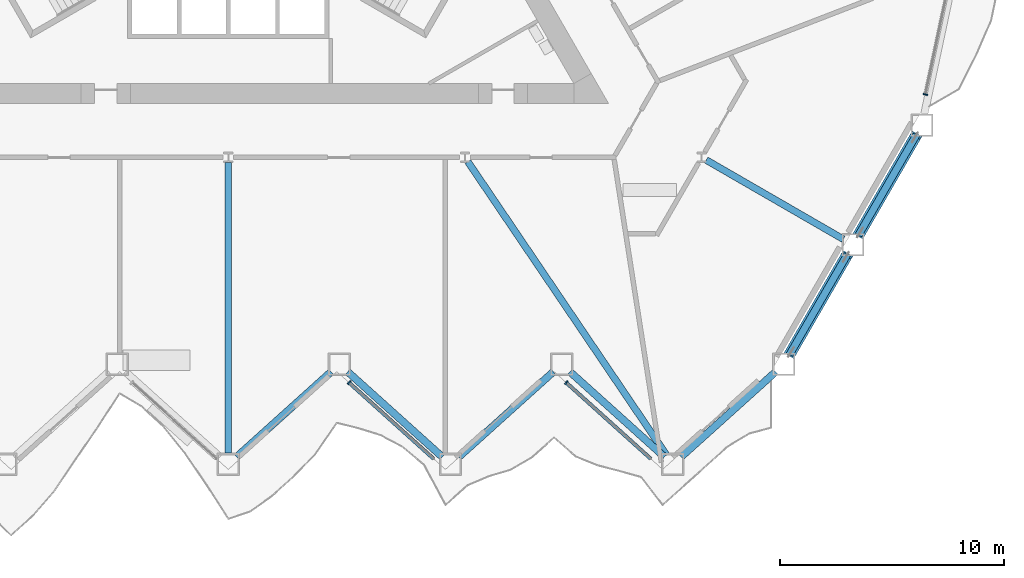
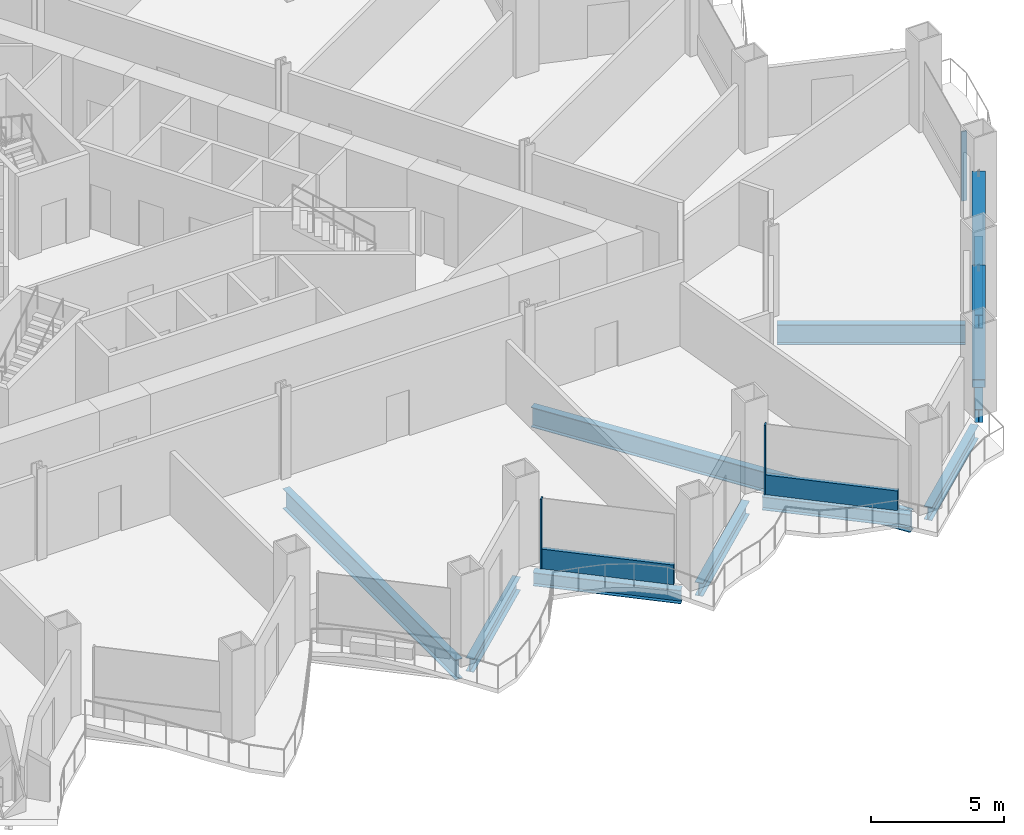
# One storey, part 4 of 21: 10 beams, 7 members, 3 elements without a shape of their own.
"""IFC4 building model written with IfcOpenShell, lengths in metres."""

from ifc_helpers import new_model, si_unit, direction, frame, origin, origin_2d, place, context, subcontext, project, spatial, rectangle, hollow_rectangle, i_section, extrude, material, layer, layer_set, material_profile, profile_set, type_object, element, aggregate, save


model = new_model("IFC4")

# Units and contexts
model_context = context("Model", 3, precision=1e-05, world=origin(), true_north=direction((0.0, 1.0)))
body_context = subcontext(model_context, "Body", "Model", "MODEL_VIEW")
ifc_project = project(units=[si_unit("LENGTHUNIT", "METRE"), si_unit("AREAUNIT", "SQUARE_METRE"), si_unit("VOLUMEUNIT", "CUBIC_METRE"), si_unit("PLANEANGLEUNIT", "RADIAN"), si_unit("MASSUNIT", "GRAM", prefix="KILO")], contexts=[model_context])

# Site, building, storey
site_placement = place(None, origin())
site = spatial("IfcSite", under=ifc_project, at=site_placement, CompositionType="ELEMENT")
building_placement = place(site_placement, origin())
building = spatial("IfcBuilding", under=site, at=building_placement, Name="Cormorant Prow Tower", CompositionType="ELEMENT")
storey_placement = place(building_placement, frame((0.0, 0.0, 46.800048828125)))
storey = spatial("IfcBuildingStorey", under=building, at=storey_placement, Name="L09", CompositionType="ELEMENT", Elevation=46.800048828125)

# Members
ifc_material_1 = material(Name="Structural steel ASTM A500 Gr C", Category="steel")
ifc_material_profile_1 = material_profile(ifc_material_1, hollow_rectangle(XDim=0.508056640625, YDim=0.508056640625, WallThickness=0.014892578125, at=origin_2d()), Name="HSS20x20x5/8")
ifc_profile_set_1 = profile_set([ifc_material_profile_1], Name="Structural steel ASTM A500 Gr C")
member_type_1 = type_object("IfcMemberType", Name="Chamfer brace HSS20x20x5/8", PredefinedType="BRACE", material=ifc_profile_set_1)
member_1_placement = place(storey_placement, frame((25.089599609375, -21.0107421875, 0.76708984375), z_axis=(0.47589308504, 0.824244468952, 0.306833549359), x_axis=(-0.866018434186, 0.500012071504, 0.0)))
element("IfcMember", 1, at=member_1_placement, inside=storey, type_object=member_type_1, Name="Chamfer brace BR1 at ESE00 L09", PredefinedType="BRACE", context=body_context, shape_type="SweptSolid", body=[
    extrude(hollow_rectangle(XDim=0.508056640625, YDim=0.508056640625, WallThickness=0.014892578125, at=origin_2d()), origin(), (0.0, 0.0, 1.0), 5.392333984375),
])
member_2_placement = place(storey_placement, frame((28.174560546875, -15.667724609375, 0.76708984375), z_axis=(0.475875326044, 0.824258984489, 0.306822099191), x_axis=(-0.866030326616, 0.499991473309, 0.0)))
element("IfcMember", 2, at=member_2_placement, inside=storey, type_object=member_type_1, Name="Chamfer brace BR1 at ESE01 L09", PredefinedType="BRACE", context=body_context, shape_type="SweptSolid", body=[
    extrude(hollow_rectangle(XDim=0.508056640625, YDim=0.508056640625, WallThickness=0.014892578125, at=origin_2d()), origin(), (0.0, 0.0, 1.0), 5.392578125),
])

# Curtain wall, member
ifc_material_2 = material(Name="Aluminium 6063-T6", Category="aluminium")
ifc_layer = layer(ifc_material_2, 0.199951171875)
ifc_layer_set = layer_set([ifc_layer], Name="Aluminium 6063-T6")
curtain_wall_type = type_object("IfcCurtainWallType", Name="Office unitised curtain wall 200", PredefinedType="NOTDEFINED", material=ifc_layer_set)
curtain_wall_1_placement = place(storey_placement, origin())
curtain_wall_1 = element("IfcCurtainWall", 3, at=curtain_wall_1_placement, inside=storey, type_object=curtain_wall_type, Name="Office curtain wall S06", PredefinedType="NOTDEFINED")
ifc_material_3 = material(Name="Aluminium 6063-T6", Category="aluminium")
ifc_material_profile_2 = material_profile(ifc_material_3, rectangle(XDim=0.199951171875, YDim=0.06005859375, at=origin_2d()), Name="Office mullion 60x200")
ifc_profile_set_2 = profile_set([ifc_material_profile_2], Name="Aluminium 6063-T6")
member_type_2 = type_object("IfcMemberType", Name="Office mullion 60x200", PredefinedType="MULLION", material=ifc_profile_set_2)
member_3_placement = place(storey_placement, frame((5.3974609375, -22.27783203125, 0.0), z_axis=(0.0, 0.0, 1.0), x_axis=(0.669130649459, 0.74314478667, 0.0)))
member_3 = element("IfcMember", 4, at=member_3_placement, type_object=member_type_2, Name="Office mullion S06", PredefinedType="MULLION", context=body_context, shape_type="SweptSolid", body=[
    extrude(rectangle(XDim=0.199951171875, YDim=0.06005859375, at=origin_2d()), origin(), (0.0, 0.0, 1.0), 3.18896484375),
])

curtain_wall_2_placement = place(storey_placement, origin())
curtain_wall_2 = element("IfcCurtainWall", 5, at=curtain_wall_2_placement, inside=storey, type_object=curtain_wall_type, Name="Office curtain wall S08", PredefinedType="NOTDEFINED")
member_4_placement = place(storey_placement, frame((15.102783203125, -22.27783203125, 0.0), z_axis=(0.0, 0.0, 1.0), x_axis=(0.66913057331, 0.743144855234, 0.0)))
member_4 = element("IfcMember", 6, at=member_4_placement, type_object=member_type_2, Name="Office mullion S08", PredefinedType="MULLION", context=body_context, shape_type="SweptSolid", body=[
    extrude(rectangle(XDim=0.199951171875, YDim=0.06005859375, at=origin_2d()), origin(), (0.0, 0.0, 1.0), 3.18896484375),
])

curtain_wall_3_placement = place(storey_placement, origin())
curtain_wall_3 = element("IfcCurtainWall", 7, at=curtain_wall_3_placement, inside=storey, type_object=curtain_wall_type, Name="Office curtain wall ENE00", PredefinedType="NOTDEFINED")
member_5_placement = place(storey_placement, frame((31.15234375, -9.402099609375, 0.0), z_axis=(0.0, 0.0, 1.0), x_axis=(-0.978147599834, 0.207911695052, 0.0)))
member_5 = element("IfcMember", 8, at=member_5_placement, type_object=member_type_2, Name="Office mullion ENE00", PredefinedType="MULLION", context=body_context, shape_type="SweptSolid", body=[
    extrude(rectangle(XDim=0.199951171875, YDim=0.06005859375, at=origin_2d()), origin(), (0.0, 0.0, 1.0), 3.18896484375),
])
aggregate(curtain_wall_3, [member_5])

# Member
ifc_material_4 = material(Name="Terracotta", Category="masonry")
ifc_material_profile_3 = material_profile(ifc_material_4, rectangle(XDim=0.159912109375, YDim=0.89990234375, at=origin_2d()), Name="Office terracotta spandrel rail 160x900")
ifc_profile_set_3 = profile_set([ifc_material_profile_3], Name="Terracotta")
member_type_3 = type_object("IfcMemberType", Name="Office terracotta spandrel rail 160x900", PredefinedType="USERDEFINED", material=ifc_profile_set_3)
member_6_placement = place(storey_placement, frame((5.419677734375, -22.2978515625, 0.449951171875), z_axis=(0.743140700473, -0.669135187612, 0.0), x_axis=(0.669135187612, 0.743140700473, 0.0)))
member_6 = element("IfcMember", 9, at=member_6_placement, type_object=member_type_3, Name="Office spandrel rail S06", ObjectType="TRANSOM", PredefinedType="USERDEFINED", context=body_context, shape_type="SweptSolid", body=[
    extrude(rectangle(XDim=0.159912109375, YDim=0.89990234375, at=origin_2d()), origin(), (0.0, 0.0, 1.0), 5.06396484375),
])

aggregate(curtain_wall_1, [member_3, member_6])

member_7_placement = place(storey_placement, frame((15.125, -22.2978515625, 0.449951171875), z_axis=(0.743140700473, -0.669135187612, 0.0), x_axis=(0.669135187612, 0.743140700473, 0.0)))
member_7 = element("IfcMember", 10, at=member_7_placement, type_object=member_type_3, Name="Office spandrel rail S08", ObjectType="TRANSOM", PredefinedType="USERDEFINED", context=body_context, shape_type="SweptSolid", body=[
    extrude(rectangle(XDim=0.159912109375, YDim=0.89990234375, at=origin_2d()), origin(), (0.0, 0.0, 1.0), 5.06396484375),
])

aggregate(curtain_wall_2, [member_4, member_7])

# Beams
ifc_material_5 = material(Name="Structural steel ASTM A992 Gr 50", Category="steel")
ifc_material_profile_4 = material_profile(ifc_material_5, i_section(OverallWidth=0.3046875, OverallDepth=0.914794921875, WebThickness=0.0166015625, FlangeThickness=0.02587890625, at=origin_2d()), Name="W36x160")
ifc_profile_set_4 = profile_set([ifc_material_profile_4], Name="Structural steel ASTM A992 Gr 50")
beam_type_1 = type_object("IfcBeamType", Name="Radial floor beam W36x160", PredefinedType="BEAM", material=ifc_profile_set_4)
beam_1_placement = place(storey_placement, frame((0.0, -12.447265625, -0.857421875), z_axis=(0.0, -1.0, 0.0), x_axis=(1.0, 0.0, 0.0)))
element("IfcBeam", 11, at=beam_1_placement, inside=storey, type_object=beam_type_1, Name="Radial floor beam FB1 7 L09", PredefinedType="BEAM", context=body_context, shape_type="SweptSolid", body=[
    extrude(i_section(OverallWidth=0.3046875, OverallDepth=0.914794921875, WebThickness=0.0166015625, FlangeThickness=0.02587890625, at=origin_2d()), origin(), (0.0, 0.0, 1.0), 12.984130859375),
])
beam_2_placement = place(storey_placement, frame((10.708740234375, -12.4072265625, -0.857421875), z_axis=(0.560597160775, -0.828088656685, 0.0), x_axis=(0.828088656685, 0.560597160775, 0.0)))
element("IfcBeam", 12, at=beam_2_placement, inside=storey, type_object=beam_type_1, Name="Radial floor beam FB1 8 L09", PredefinedType="BEAM", context=body_context, shape_type="SweptSolid", body=[
    extrude(i_section(OverallWidth=0.3046875, OverallDepth=0.914794921875, WebThickness=0.0166015625, FlangeThickness=0.02587890625, at=origin_2d()), origin(), (0.0, 0.0, 1.0), 15.831787109375),
])
beam_3_placement = place(storey_placement, frame((21.358154296875, -12.3310546875, -0.857421875), z_axis=(0.866014253463, -0.500019312426, 0.0), x_axis=(0.500019312426, 0.866014253463, 0.0)))
element("IfcBeam", 13, at=beam_3_placement, inside=storey, type_object=beam_type_1, Name="Radial floor beam FB1 9 L09", PredefinedType="BEAM", context=body_context, shape_type="SweptSolid", body=[
    extrude(i_section(OverallWidth=0.3046875, OverallDepth=0.914794921875, WebThickness=0.0166015625, FlangeThickness=0.02587890625, at=origin_2d()), origin(), (0.0, 0.0, 1.0), 7.071533203125),
])
ifc_material_6 = material(Name="Structural steel ASTM A992 Gr 50", Category="steel")
ifc_material_profile_5 = material_profile(ifc_material_6, i_section(OverallWidth=0.32373046875, OverallDepth=0.611083984375, WebThickness=0.0126953125, FlangeThickness=0.01904296875, at=origin_2d()), Name="W24x104")
ifc_profile_set_5 = profile_set([ifc_material_profile_5], Name="Structural steel ASTM A992 Gr 50")
beam_type_2 = type_object("IfcBeamType", Name="Spandrel beam W24x104", PredefinedType="SPANDREL", material=ifc_profile_set_5)
for number, where, z_axis, x_axis, name in (
    (14, (0.37158203125, -25.596923828125, -0.70556640625), (0.743129630386, 0.669147481833, 0.0), (-0.669147481833, 0.743129630386, 0.0), "Spandrel beam SB1 S05-S06 L09"),
    (15, (5.337646484375, -21.79443359375, -0.70556640625), (0.743129630386, -0.669147481833, 0.0), (0.669147481833, 0.743129630386, 0.0), "Spandrel beam SB1 S06-S07 L09"),
    (16, (10.3037109375, -25.596923828125, -0.70556640625), (0.743129630386, 0.669147481833, 0.0), (-0.669147481833, 0.743129630386, 0.0), "Spandrel beam SB1 S07-S08 L09"),
    (17, (15.269775390625, -21.79443359375, -0.70556640625), (0.743129630386, -0.669147481833, 0.0), (0.669147481833, 0.743129630386, 0.0), "Spandrel beam SB1 S08-S09 L09"),
    (18, (20.23583984375, -25.596923828125, -0.70556640625), (0.743129630386, 0.669147481833, 0.0), (-0.669147481833, 0.743129630386, 0.0), "Spandrel beam SB1 S09-ESE00 L09"),
):
    element("IfcBeam", number, at=place(storey_placement, frame(where, z_axis=z_axis, x_axis=x_axis)), inside=storey, type_object=beam_type_2, Name=name, PredefinedType="SPANDREL", context=body_context, shape_type="SweptSolid", body=[
        extrude(i_section(OverallWidth=0.32373046875, OverallDepth=0.611083984375, WebThickness=0.0126953125, FlangeThickness=0.01904296875, at=origin_2d()), origin(), (0.0, 0.0, 1.0), 5.6826171875),
    ])
for number, where, z_axis, x_axis, name in (
    (19, (25.080322265625, -21.02685546875, -0.70556640625), (0.500019507279, 0.866014140959, 0.0), (-0.866014140959, 0.500019507279, 0.0), "Spandrel beam SB1 ESE00-ESE01 L09"),
    (20, (28.165283203125, -15.683837890625, -0.70556640625), (0.49998408811, 0.866034590324, 0.0), (-0.866034590324, 0.49998408811, 0.0), "Spandrel beam SB1 ESE01-ENE00 L09"),
):
    element("IfcBeam", number, at=place(storey_placement, frame(where, z_axis=z_axis, x_axis=x_axis)), inside=storey, type_object=beam_type_2, Name=name, PredefinedType="SPANDREL", context=body_context, shape_type="SweptSolid", body=[
        extrude(i_section(OverallWidth=0.32373046875, OverallDepth=0.611083984375, WebThickness=0.0126953125, FlangeThickness=0.01904296875, at=origin_2d()), origin(), (0.0, 0.0, 1.0), 5.169677734375),
    ])

save(model, "model.ifc")
